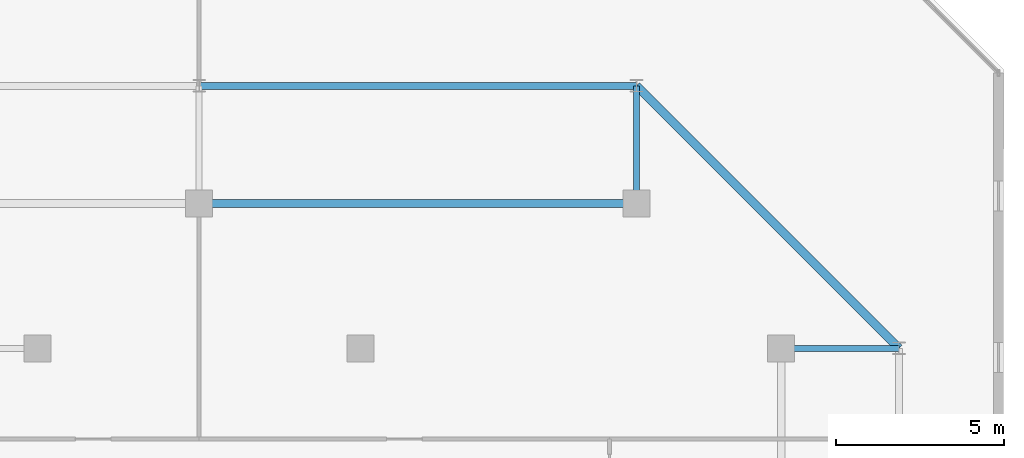
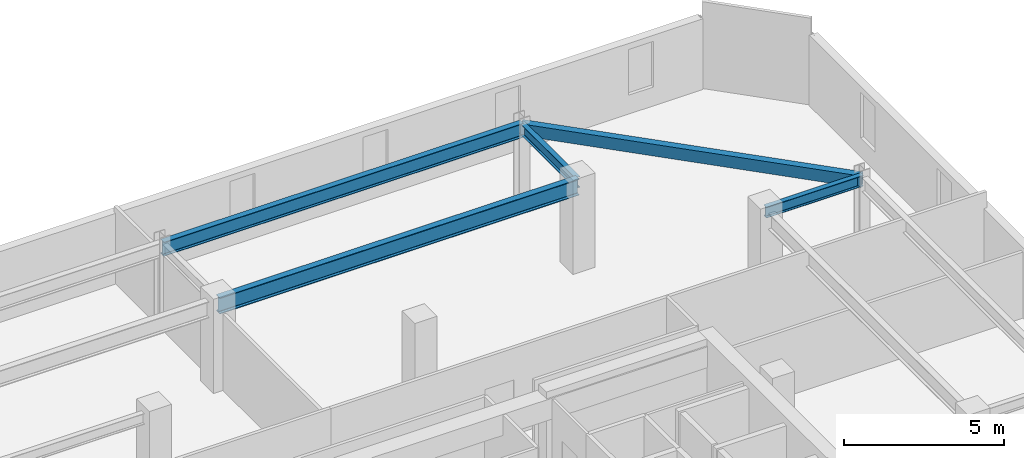
# One storey, part 15 of 31: 5 beams.
"""IFC4 building model written with IfcOpenShell, lengths in metres."""

from ifc_helpers import new_model, si_unit, direction, frame, origin, origin_2d, place, context, subcontext, project, spatial, hollow_rectangle, i_section, extrude, material, material_profile, profile_set, type_object, element, save


model = new_model("IFC4")

# Units and contexts
model_context = context("Model", 3, precision=1e-05, world=origin(), true_north=direction((0.0, 1.0)))
body_context = subcontext(model_context, "Body", "Model", "MODEL_VIEW")
ifc_project = project(units=[si_unit("LENGTHUNIT", "METRE"), si_unit("AREAUNIT", "SQUARE_METRE"), si_unit("VOLUMEUNIT", "CUBIC_METRE"), si_unit("PLANEANGLEUNIT", "RADIAN"), si_unit("MASSUNIT", "GRAM", prefix="KILO")], contexts=[model_context])

# Site, building, storey
site_placement = place(None, origin())
site = spatial("IfcSite", under=ifc_project, at=site_placement, CompositionType="ELEMENT")
building_placement = place(site_placement, origin())
building = spatial("IfcBuilding", under=site, at=building_placement, Name="Thornwick Lancets Civic Towers", CompositionType="ELEMENT")
storey_placement = place(building_placement, frame((0.0, 0.0, 254.699951171875)))
storey = spatial("IfcBuildingStorey", under=building, at=storey_placement, Name="L68", CompositionType="ELEMENT", Elevation=254.699951171875)

# Beams
ifc_material = material(Name="Steel S355JR", Category="steel")
ifc_material_profile_1 = material_profile(ifc_material, i_section(OverallWidth=0.210693359375, OverallDepth=0.53955078125, WebThickness=0.01171875, FlangeThickness=0.018798828125, FilletRadius=0.0126953125, at=origin_2d()), Name="UKB 533x210x109")
ifc_profile_set_1 = profile_set([ifc_material_profile_1], Name="Steel S355JR")
beam_type_1 = type_object("IfcBeamType", Name="BM_EDGE_533_109", PredefinedType="SPANDREL", material=ifc_profile_set_1)
beam_1_placement = place(storey_placement, frame((101.5, 47.800048828125, 3.0703125), z_axis=(-1.0, 0.0, 0.0), x_axis=(0.0, -1.0, 0.0)))
element("IfcBeam", 1, at=beam_1_placement, inside=storey, type_object=beam_type_1, Name="BM-EDGE-L68-B-S1-1", PredefinedType="SPANDREL", context=body_context, shape_type="SweptSolid", body=[
    extrude(i_section(OverallWidth=0.210693359375, OverallDepth=0.53955078125, WebThickness=0.01171875, FlangeThickness=0.018798828125, FilletRadius=0.0126953125, at=origin_2d()), origin(), (0.0, 0.0, 1.0), 13.0),
])
ifc_material_profile_2 = material_profile(ifc_material, i_section(OverallWidth=0.230224609375, OverallDepth=0.6171875, WebThickness=0.01318359375, FlangeThickness=0.022216796875, FilletRadius=0.0126953125, at=origin_2d()), Name="UKB 610x229x140")
ifc_profile_set_2 = profile_set([ifc_material_profile_2], Name="Steel S355JR")
beam_type_2 = type_object("IfcBeamType", Name="BM_GIRD_610_140", PredefinedType="BEAM", material=ifc_profile_set_2)
beam_2_placement = place(storey_placement, frame((101.5, 44.300048828125, 3.031494140625), z_axis=(-1.0, 0.0, 0.0), x_axis=(0.0, -1.0, 0.0)))
element("IfcBeam", 2, at=beam_2_placement, inside=storey, type_object=beam_type_2, Name="BM-SPINE-L68-B-3-4", PredefinedType="BEAM", context=body_context, shape_type="SweptSolid", body=[
    extrude(i_section(OverallWidth=0.230224609375, OverallDepth=0.6171875, WebThickness=0.01318359375, FlangeThickness=0.022216796875, FilletRadius=0.0126953125, at=origin_2d()), origin(), (0.0, 0.0, 1.0), 13.0),
])
ifc_material_profile_3 = material_profile(ifc_material, i_section(OverallWidth=0.179443359375, OverallDepth=0.412841796875, WebThickness=0.009521484375, FlangeThickness=0.01611328125, FilletRadius=0.01025390625, at=origin_2d()), Name="UKB 406x178x74")
ifc_profile_set_3 = profile_set([ifc_material_profile_3], Name="Steel S355JR")
beam_type_3 = type_object("IfcBeamType", Name="BM_JOIST_406_74", PredefinedType="JOIST", material=ifc_profile_set_3)
for number, where, z_axis, x_axis, name in (
    (3, (105.800048828125, 40.0, 3.133544921875), (1.0, 0.0, 0.0), (0.0, 1.0, 0.0), "BM-RAD-L68-B03"),
    (4, (101.5, 44.300048828125, 3.133544921875), (0.0, 1.0, 0.0), (-1.0, 0.0, 0.0), "BM-RAD-L68-B04"),
):
    element("IfcBeam", number, at=place(storey_placement, frame(where, z_axis=z_axis, x_axis=x_axis)), inside=storey, type_object=beam_type_3, Name=name, PredefinedType="JOIST", context=body_context, shape_type="SweptSolid", body=[
        extrude(i_section(OverallWidth=0.179443359375, OverallDepth=0.412841796875, WebThickness=0.009521484375, FlangeThickness=0.01611328125, FilletRadius=0.01025390625, at=origin_2d()), origin(), (0.0, 0.0, 1.0), 3.5),
    ])
ifc_material_profile_4 = material_profile(ifc_material, hollow_rectangle(XDim=0.25, YDim=0.449951171875, WallThickness=0.01611328125, at=origin_2d()), Name="RHS 450x250x16")
ifc_profile_set_4 = profile_set([ifc_material_profile_4], Name="Steel S355JR")
beam_type_4 = type_object("IfcBeamType", Name="BM_RING_RHS450", PredefinedType="BEAM", material=ifc_profile_set_4)
beam_3_placement = place(storey_placement, frame((109.300048828125, 40.0, 3.114990234375), z_axis=(-0.707106781187, 0.707106781187, 0.0), x_axis=(-0.707106781187, -0.707106781187, 0.0)))
element("IfcBeam", 5, at=beam_3_placement, inside=storey, type_object=beam_type_4, Name="BM-CHAMF-L68-B-C0", PredefinedType="BEAM", context=body_context, shape_type="SweptSolid", body=[
    extrude(hollow_rectangle(XDim=0.25, YDim=0.449951171875, WallThickness=0.01611328125, at=origin_2d()), origin(), (0.0, 0.0, 1.0), 11.031005859375),
])

save(model, "model.ifc")
